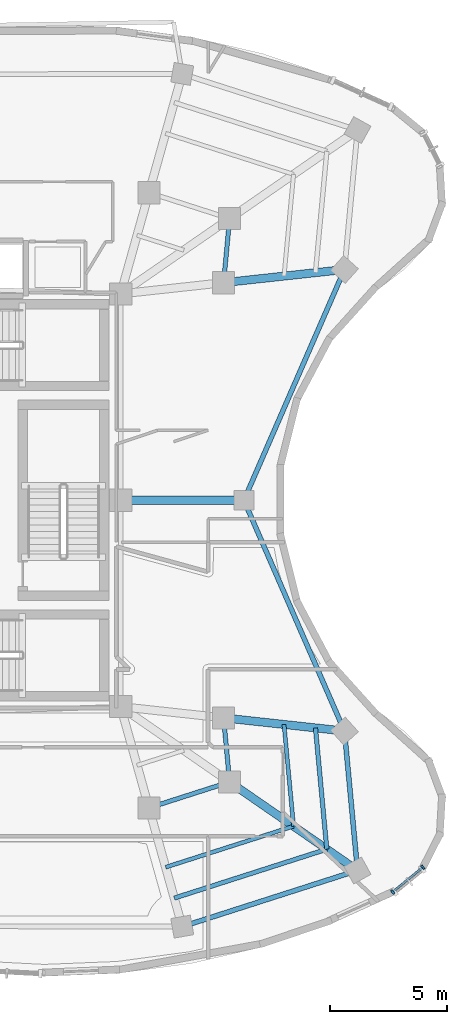
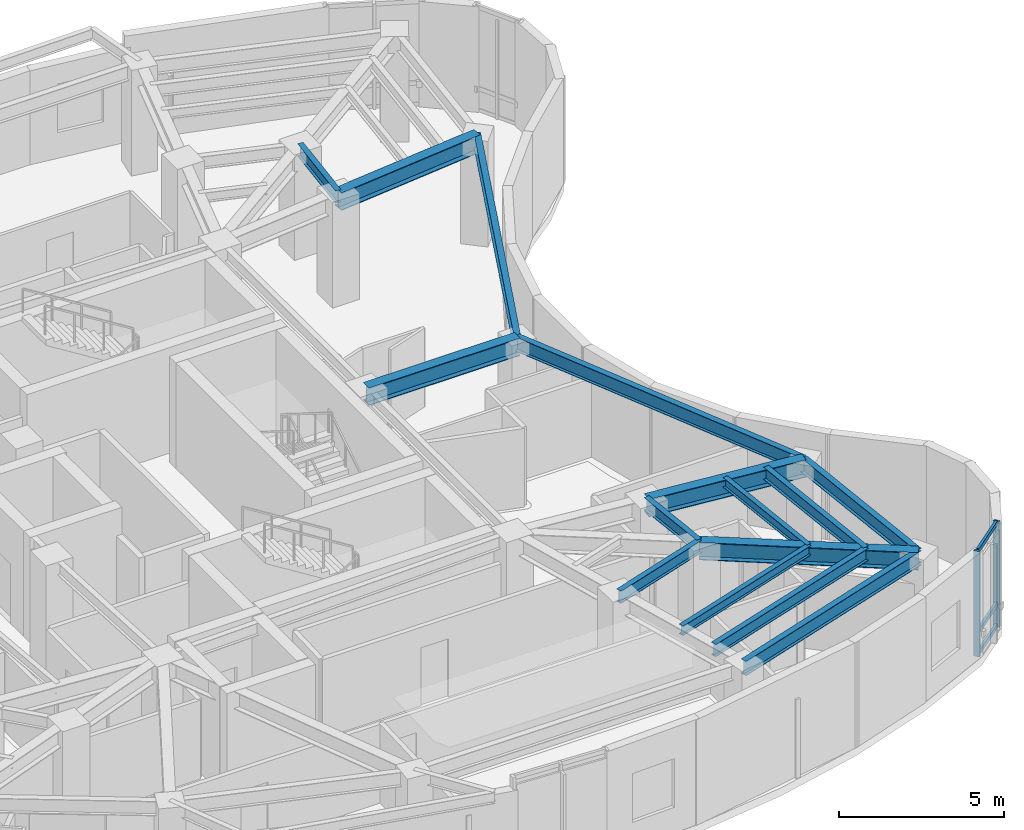
# One storey, part 4 of 13: 15 beams, 5 members, 1 element without a shape of its own.
"""IFC4 building model written with IfcOpenShell, lengths in metres."""

from ifc_helpers import new_model, si_unit, direction, frame, origin, origin_2d, place, context, subcontext, project, spatial, rectangle, i_section, extrude, material, layer, layer_set, material_profile, profile_set, type_object, element, aggregate, save


model = new_model("IFC4")

# Units and contexts
model_context = context("Model", 3, precision=1e-05, world=origin(), true_north=direction((0.0, 1.0)))
body_context = subcontext(model_context, "Body", "Model", "MODEL_VIEW")
ifc_project = project(units=[si_unit("LENGTHUNIT", "METRE"), si_unit("AREAUNIT", "SQUARE_METRE"), si_unit("VOLUMEUNIT", "CUBIC_METRE"), si_unit("PLANEANGLEUNIT", "RADIAN"), si_unit("MASSUNIT", "GRAM", prefix="KILO")], contexts=[model_context])

# Site, building, storey
site_placement = place(None, origin())
site = spatial("IfcSite", under=ifc_project, at=site_placement, CompositionType="ELEMENT")
building_placement = place(site_placement, origin())
building = spatial("IfcBuilding", under=site, at=building_placement, Name="Korentha Bioscience Tower", CompositionType="ELEMENT")
storey_placement = place(building_placement, frame((0.0, 0.0, 260.39990234375)))
storey = spatial("IfcBuildingStorey", under=building, at=storey_placement, Name="L60", CompositionType="ELEMENT", Elevation=260.39990234375)

# Beams
ifc_material_1 = material(Name="Steel S355", Category="steel")
ifc_material_profile_1 = material_profile(ifc_material_1, i_section(OverallWidth=0.18994140625, OverallDepth=0.45703125, WebThickness=0.009033203125, FlangeThickness=0.014404296875, at=origin_2d()), Name="Steel S355")
ifc_profile_set_1 = profile_set([ifc_material_profile_1], Name="Steel S355 (MB-460)")
beam_type_1 = type_object("IfcBeamType", Name="Mid-Ring Tie Girder W460x74", PredefinedType="BEAM", material=ifc_profile_set_1)
beam_1_placement = place(storey_placement, frame((38.76416015625, 13.81103515625, 3.671630859375), z_axis=(0.952264747125, 0.305273404318, 0.0), x_axis=(-0.305273404318, 0.952264747125, 0.0)))
element("IfcBeam", 1, at=beam_1_placement, inside=storey, type_object=beam_type_1, Name="L60 Mid-Ring Tie Girder 12", PredefinedType="BEAM", context=body_context, shape_type="SweptSolid", body=[
    extrude(i_section(OverallWidth=0.18994140625, OverallDepth=0.45703125, WebThickness=0.009033203125, FlangeThickness=0.014404296875, at=origin_2d()), origin(), (0.0, 0.0, 1.0), 3.630859375),
])
for number, where, z_axis, x_axis, name in (
    (2, (42.2216796875, 14.91943359375, 3.671630859375), (-0.093348923855, 0.995633455854, 0.0), (-0.995633455854, -0.093348923855, 0.0), "L60 Mid-Ring Tie Girder 13"),
    (3, (41.9638671875, 36.330810546875, 3.671630859375), (0.093348923855, 0.995633455854, 0.0), (-0.995633455854, 0.093348923855, 0.0), "L60 Mid-Ring Tie Girder 16"),
):
    element("IfcBeam", number, at=place(storey_placement, frame(where, z_axis=z_axis, x_axis=x_axis)), inside=storey, type_object=beam_type_1, Name=name, PredefinedType="BEAM", context=body_context, shape_type="SweptSolid", body=[
        extrude(i_section(OverallWidth=0.18994140625, OverallDepth=0.45703125, WebThickness=0.009033203125, FlangeThickness=0.014404296875, at=origin_2d()), origin(), (0.0, 0.0, 1.0), 2.76171875),
    ])

# Curtain wall, members
ifc_material_2 = material(Name="Thermally Broken Aluminium Frame", Category="aluminium")
ifc_layer = layer(ifc_material_2, 0.219970703125, Name="Thermally Broken Aluminium Frame")
ifc_layer_set = layer_set([ifc_layer], Name="Thermally Broken Aluminium Frame (CW-T2)")
curtain_wall_type = type_object("IfcCurtainWallType", Name="Solar-Screened Lab Unitised Curtain Wall CW-T2", PredefinedType="USERDEFINED", material=ifc_layer_set)
curtain_wall_placement = place(storey_placement, origin())
curtain_wall = element("IfcCurtainWall", 4, at=curtain_wall_placement, inside=storey, type_object=curtain_wall_type, Name="L60 Curtain Wall 37", ObjectType="UNITISED", PredefinedType="USERDEFINED")
ifc_material_3 = material(Name="Anodised Aluminium 6063-T6", Category="aluminium")
ifc_material_profile_2 = material_profile(ifc_material_3, rectangle(XDim=0.090087890625, YDim=0.199951171875, at=origin_2d()), Name="Anodised Aluminium 6063-T6")
ifc_profile_set_2 = profile_set([ifc_material_profile_2], Name="Anodised Aluminium 6063-T6 (CW-MUL)")
member_type_1 = type_object("IfcMemberType", Name="Mullion RECT 90x200", PredefinedType="MULLION", material=ifc_profile_set_2)
member_1_placement = place(storey_placement, frame((49.212646484375, 10.203125, 0.0), z_axis=(0.0, 0.0, 1.0), x_axis=(0.774235415138, 0.632897718393, 0.0)))
member_1 = element("IfcMember", 5, at=member_1_placement, type_object=member_type_1, Name="CW-L60-37 Mullion 1", PredefinedType="MULLION", context=body_context, shape_type="SweptSolid", body=[
    extrude(rectangle(XDim=0.090087890625, YDim=0.199951171875, at=origin_2d()), origin(), (0.0, 0.0, 1.0), 3.900146484375),
])
member_2_placement = place(storey_placement, frame((50.507080078125, 11.260986328125, 0.0), z_axis=(0.0, 0.0, 1.0), x_axis=(0.774235415138, 0.632897718393, 0.0)))
member_2 = element("IfcMember", 6, at=member_2_placement, type_object=member_type_1, Name="CW-L60-37 Mullion 2", PredefinedType="MULLION", context=body_context, shape_type="SweptSolid", body=[
    extrude(rectangle(XDim=0.090087890625, YDim=0.199951171875, at=origin_2d()), origin(), (0.0, 0.0, 1.0), 3.900146484375),
])

# Beams
ifc_material_profile_3 = material_profile(ifc_material_1, i_section(OverallWidth=0.208984375, OverallDepth=0.532958984375, WebThickness=0.01025390625, FlangeThickness=0.015625, at=origin_2d()), Name="Steel S355")
ifc_profile_set_3 = profile_set([ifc_material_profile_3], Name="Steel S355 (SB-530)")
beam_type_2 = type_object("IfcBeamType", Name="Perimeter Ring Spandrel Girder W530x92", PredefinedType="SPANDREL", material=ifc_profile_set_3)
beam_2_placement = place(storey_placement, frame((40.189453125, 8.7177734375, 3.633544921875), z_axis=(0.952281827014, 0.305220120468, 0.0), x_axis=(-0.305220120468, 0.952281827014, 0.0)))
element("IfcBeam", 7, at=beam_2_placement, inside=storey, type_object=beam_type_2, Name="L60 Perimeter Spandrel Girder 12", PredefinedType="SPANDREL", context=body_context, shape_type="SweptSolid", body=[
    extrude(i_section(OverallWidth=0.208984375, OverallDepth=0.532958984375, WebThickness=0.01025390625, FlangeThickness=0.015625, at=origin_2d()), origin(), (0.0, 0.0, 1.0), 7.893310546875),
])
beam_3_placement = place(storey_placement, frame((47.7060546875, 11.126953125, 3.633544921875), z_axis=(-0.093365902602, 0.995631863809, 0.0), x_axis=(-0.995631863809, -0.093365902602, 0.0)))
element("IfcBeam", 8, at=beam_3_placement, inside=storey, type_object=beam_type_2, Name="L60 Perimeter Spandrel Girder 13", PredefinedType="SPANDREL", context=body_context, shape_type="SweptSolid", body=[
    extrude(i_section(OverallWidth=0.208984375, OverallDepth=0.532958984375, WebThickness=0.01025390625, FlangeThickness=0.015625, at=origin_2d()), origin(), (0.0, 0.0, 1.0), 6.003662109375),
])
for number, where, z_axis, x_axis, name in (
    (9, (47.1455078125, 17.1044921875, 3.633544921875), (-0.399437259894, 0.916760533296, 0.0), (-0.916760533296, -0.399437259894, 0.0), "L60 Perimeter Spandrel Girder 14"),
    (10, (42.833984375, 27.0, 3.633544921875), (0.399437259894, 0.916760533296, 0.0), (-0.916760533296, 0.399437259894, 0.0), "L60 Perimeter Spandrel Girder 15"),
):
    element("IfcBeam", number, at=place(storey_placement, frame(where, z_axis=z_axis, x_axis=x_axis)), inside=storey, type_object=beam_type_2, Name=name, PredefinedType="SPANDREL", context=body_context, shape_type="SweptSolid", body=[
        extrude(i_section(OverallWidth=0.208984375, OverallDepth=0.532958984375, WebThickness=0.01025390625, FlangeThickness=0.015625, at=origin_2d()), origin(), (0.0, 0.0, 1.0), 10.7939453125),
    ])
ifc_material_profile_4 = material_profile(ifc_material_1, i_section(OverallWidth=0.18994140625, OverallDepth=0.45703125, WebThickness=0.009033203125, FlangeThickness=0.014404296875, at=origin_2d()), Name="Steel S355")
ifc_profile_set_4 = profile_set([ifc_material_profile_4], Name="Steel S355 (RB-460)")
beam_type_3 = type_object("IfcBeamType", Name="Radial Laboratory Beam W460x74", PredefinedType="BEAM", material=ifc_profile_set_4)
beam_4_placement = place(storey_placement, frame((39.847412109375, 9.940185546875, 3.671630859375), z_axis=(0.952283347378, 0.305215376917, 0.0), x_axis=(-0.305215376917, 0.952283347378, 0.0)))
element("IfcBeam", 11, at=beam_4_placement, inside=storey, type_object=beam_type_3, Name="L60 Secondary Floor Beam JSTO-12", PredefinedType="BEAM", context=body_context, shape_type="SweptSolid", body=[
    extrude(i_section(OverallWidth=0.18994140625, OverallDepth=0.45703125, WebThickness=0.009033203125, FlangeThickness=0.014404296875, at=origin_2d()), origin(), (0.0, 0.0, 1.0), 6.870361328125),
])
beam_5_placement = place(storey_placement, frame((46.389892578125, 12.037109375, 3.671630859375), z_axis=(-0.093391362324, 0.995629475982, 0.0), x_axis=(-0.995629475982, -0.093391362324, 0.0)))
element("IfcBeam", 12, at=beam_5_placement, inside=storey, type_object=beam_type_3, Name="L60 Secondary Floor Beam JSTO-13", PredefinedType="BEAM", context=body_context, shape_type="SweptSolid", body=[
    extrude(i_section(OverallWidth=0.18994140625, OverallDepth=0.45703125, WebThickness=0.009033203125, FlangeThickness=0.014404296875, at=origin_2d()), origin(), (0.0, 0.0, 1.0), 5.225830078125),
])
ifc_material_profile_5 = material_profile(ifc_material_1, i_section(OverallWidth=0.35009765625, OverallDepth=0.64990234375, WebThickness=0.01611328125, FlangeThickness=0.02490234375, at=origin_2d()), Name="Steel S355")
ifc_profile_set_5 = profile_set([ifc_material_profile_5], Name="Steel S355 (RB-650)")
beam_type_4 = type_object("IfcBeamType", Name="Radial Laboratory Girder CVS 650x208", PredefinedType="BEAM", material=ifc_profile_set_5)
beam_6_placement = place(storey_placement, frame((42.2216796875, 14.91943359375, 3.5751953125), z_axis=(0.822500508627, -0.568764374155, 0.0), x_axis=(0.568764374155, 0.822500508627, 0.0)))
element("IfcBeam", 13, at=beam_6_placement, inside=storey, type_object=beam_type_4, Name="L60 Outer Radial Girder 13", PredefinedType="BEAM", context=body_context, shape_type="SweptSolid", body=[
    extrude(i_section(OverallWidth=0.35009765625, OverallDepth=0.64990234375, WebThickness=0.01611328125, FlangeThickness=0.02490234375, at=origin_2d()), origin(), (0.0, 0.0, 1.0), 6.66796875),
])
beam_7_placement = place(storey_placement, frame((41.9638671875, 17.669189453125, 3.5751953125), z_axis=(0.994114014358, -0.108338942481, 0.0), x_axis=(0.108338942481, 0.994114014358, 0.0)))
element("IfcBeam", 14, at=beam_7_placement, inside=storey, type_object=beam_type_4, Name="L60 Outer Radial Girder 14", PredefinedType="BEAM", context=body_context, shape_type="SweptSolid", body=[
    extrude(i_section(OverallWidth=0.35009765625, OverallDepth=0.64990234375, WebThickness=0.01611328125, FlangeThickness=0.02490234375, at=origin_2d()), origin(), (0.0, 0.0, 1.0), 5.21240234375),
])
beam_8_placement = place(storey_placement, frame((37.550048828125, 27.0, 3.5751953125), z_axis=(1.0, 0.0, 0.0), x_axis=(0.0, 1.0, 0.0)))
element("IfcBeam", 15, at=beam_8_placement, inside=storey, type_object=beam_type_4, Name="L60 Radial Girder 15", PredefinedType="BEAM", context=body_context, shape_type="SweptSolid", body=[
    extrude(i_section(OverallWidth=0.35009765625, OverallDepth=0.64990234375, WebThickness=0.01611328125, FlangeThickness=0.02490234375, at=origin_2d()), origin(), (0.0, 0.0, 1.0), 5.283935546875),
])
beam_9_placement = place(storey_placement, frame((41.9638671875, 36.330810546875, 3.5751953125), z_axis=(0.994114014358, 0.108338942481, 0.0), x_axis=(-0.108338942481, 0.994114014358, 0.0)))
element("IfcBeam", 16, at=beam_9_placement, inside=storey, type_object=beam_type_4, Name="L60 Outer Radial Girder 16", PredefinedType="BEAM", context=body_context, shape_type="SweptSolid", body=[
    extrude(i_section(OverallWidth=0.35009765625, OverallDepth=0.64990234375, WebThickness=0.01611328125, FlangeThickness=0.02490234375, at=origin_2d()), origin(), (0.0, 0.0, 1.0), 5.21240234375),
])
ifc_material_profile_6 = material_profile(ifc_material_1, i_section(OverallWidth=0.1708984375, OverallDepth=0.35498046875, WebThickness=0.007080078125, FlangeThickness=0.01171875, at=origin_2d()), Name="Steel S355")
ifc_profile_set_6 = profile_set([ifc_material_profile_6], Name="Steel S355 (JB-360)")
beam_type_5 = type_object("IfcBeamType", Name="Secondary Laboratory Joist W360x51", PredefinedType="JOIST", material=ifc_profile_set_6)
beam_10_placement = place(storey_placement, frame((39.476806640625, 11.264404296875, 3.72265625), z_axis=(0.95227644606, 0.30523690845, 0.0), x_axis=(-0.30523690845, 0.95227644606, 0.0)))
element("IfcBeam", 17, at=beam_10_placement, inside=storey, type_object=beam_type_5, Name="L60 Secondary Floor Beam JST-12", PredefinedType="JOIST", context=body_context, shape_type="SweptSolid", body=[
    extrude(i_section(OverallWidth=0.1708984375, OverallDepth=0.35498046875, WebThickness=0.007080078125, FlangeThickness=0.01171875, at=origin_2d()), origin(), (0.0, 0.0, 1.0), 5.761962890625),
])
beam_11_placement = place(storey_placement, frame((44.9638671875, 13.023193359375, 3.72265625), z_axis=(-0.093363142036, 0.995632122678, 0.0), x_axis=(-0.995632122678, -0.093363142036, 0.0)))
element("IfcBeam", 18, at=beam_11_placement, inside=storey, type_object=beam_type_5, Name="L60 Secondary Floor Beam JST-13", PredefinedType="JOIST", context=body_context, shape_type="SweptSolid", body=[
    extrude(i_section(OverallWidth=0.1708984375, OverallDepth=0.35498046875, WebThickness=0.007080078125, FlangeThickness=0.01171875, at=origin_2d()), origin(), (0.0, 0.0, 1.0), 4.382568359375),
])

# Member
ifc_material_profile_7 = material_profile(ifc_material_3, rectangle(XDim=0.090087890625, YDim=0.159912109375, at=origin_2d()), Name="Anodised Aluminium 6063-T6")
ifc_profile_set_7 = profile_set([ifc_material_profile_7], Name="Anodised Aluminium 6063-T6 (CW-TRN)")
member_type_2 = type_object("IfcMemberType", Name="Transom RECT 90x160", PredefinedType="USERDEFINED", material=ifc_profile_set_7)
member_3_placement = place(storey_placement, frame((49.24755859375, 10.231689453125, 0.045166015625), z_axis=(0.77425981368, 0.632867870033, 0.0), x_axis=(-0.632867870033, 0.77425981368, 0.0)))
member_3 = element("IfcMember", 19, at=member_3_placement, type_object=member_type_2, Name="CW-L60-37 Bay 1 Transom 1", ObjectType="TRANSOM", PredefinedType="USERDEFINED", context=body_context, shape_type="SweptSolid", body=[
    extrude(rectangle(XDim=0.090087890625, YDim=0.159912109375, at=origin_2d()), origin(), (0.0, 0.0, 1.0), 1.58154296875),
])

member_4_placement = place(storey_placement, frame((49.24755859375, 10.231689453125, 0.85009765625), z_axis=(0.77425981368, 0.632867870033, 0.0), x_axis=(-0.632867870033, 0.77425981368, 0.0)))
member_4 = element("IfcMember", 20, at=member_4_placement, type_object=member_type_2, Name="CW-L60-37 Bay 1 Transom 2", ObjectType="TRANSOM", PredefinedType="USERDEFINED", context=body_context, shape_type="SweptSolid", body=[
    extrude(rectangle(XDim=0.090087890625, YDim=0.159912109375, at=origin_2d()), origin(), (0.0, 0.0, 1.0), 1.58154296875),
])

member_5_placement = place(storey_placement, frame((49.24755859375, 10.231689453125, 3.85498046875), z_axis=(0.77425981368, 0.632867870033, 0.0), x_axis=(-0.632867870033, 0.77425981368, 0.0)))
member_5 = element("IfcMember", 21, at=member_5_placement, type_object=member_type_2, Name="CW-L60-37 Bay 1 Transom 3", ObjectType="TRANSOM", PredefinedType="USERDEFINED", context=body_context, shape_type="SweptSolid", body=[
    extrude(rectangle(XDim=0.090087890625, YDim=0.159912109375, at=origin_2d()), origin(), (0.0, 0.0, 1.0), 1.58154296875),
])

aggregate(curtain_wall, [member_1, member_2, member_3, member_4, member_5])

save(model, "model.ifc")
